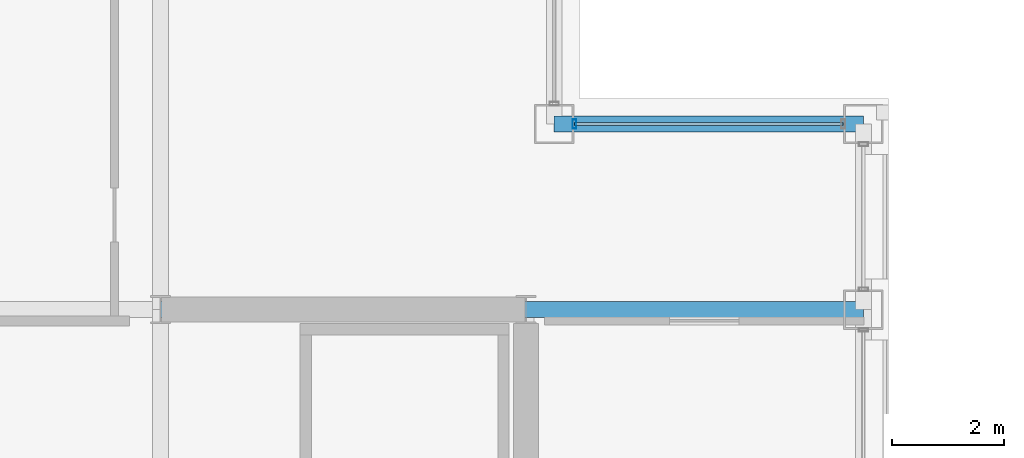
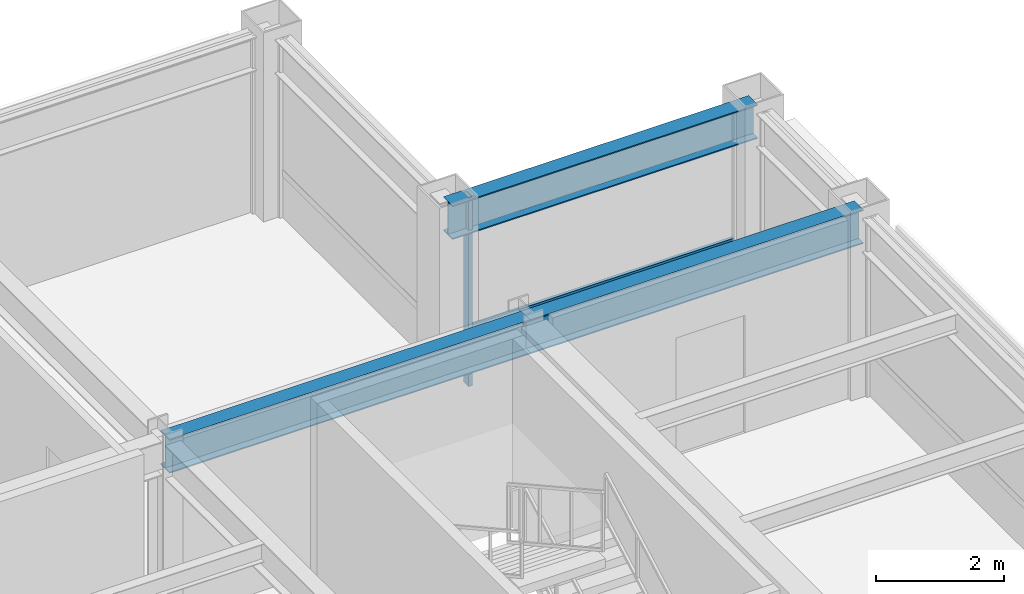
# One storey, part 17 of 28: 3 beams, 2 members, 1 element without a shape of its own.
"""IFC4 building model written with IfcOpenShell, lengths in metres."""

from ifc_helpers import new_model, si_unit, direction, frame, origin, origin_2d, place, context, subcontext, project, spatial, hollow_rectangle, i_section, extrude, material, layer, layer_set, material_profile, profile_set, type_object, element, aggregate, save


model = new_model("IFC4")

# Units and contexts
model_context = context("Model", 3, precision=1e-05, world=origin(), true_north=direction((0.0, 1.0)))
body_context = subcontext(model_context, "Body", "Model", "MODEL_VIEW")
ifc_project = project(units=[si_unit("LENGTHUNIT", "METRE"), si_unit("AREAUNIT", "SQUARE_METRE"), si_unit("VOLUMEUNIT", "CUBIC_METRE"), si_unit("PLANEANGLEUNIT", "RADIAN"), si_unit("MASSUNIT", "GRAM", prefix="KILO")], contexts=[model_context])

# Site, building, storey
site_placement = place(None, origin())
site = spatial("IfcSite", under=ifc_project, at=site_placement, CompositionType="ELEMENT")
building_placement = place(site_placement, origin())
building = spatial("IfcBuilding", under=site, at=building_placement, Name="Brelmoor Portico Tower", CompositionType="ELEMENT")
storey_placement = place(building_placement, frame((0.0, 0.0, 191.10009765625)))
storey = spatial("IfcBuildingStorey", under=building, at=storey_placement, Name="L50", CompositionType="ELEMENT", Elevation=191.10009765625)

# Beams
ifc_material_1 = material(Name="Steel Q355B", Category="steel")
ifc_material_profile_1 = material_profile(ifc_material_1, i_section(OverallWidth=0.280029296875, OverallDepth=0.64990234375, WebThickness=0.012939453125, FlangeThickness=0.02197265625, at=origin_2d()), Name="HN 650x280x13x22")
ifc_profile_set_1 = profile_set([ifc_material_profile_1], Name="Steel Q355B")
beam_type_1 = type_object("IfcBeamType", Name="BM-PG-650", PredefinedType="BEAM", material=ifc_profile_set_1)
beam_1_placement = place(storey_placement, frame((8.050048828125, 9.75, 3.074951171875), z_axis=(1.0, 0.0, 0.0), x_axis=(0.0, 1.0, 0.0)))
element("IfcBeam", 1, at=beam_1_placement, inside=storey, type_object=beam_type_1, Name="L50 Primary Floor Girder PG-22", PredefinedType="BEAM", context=body_context, shape_type="SweptSolid", body=[
    extrude(i_section(OverallWidth=0.280029296875, OverallDepth=0.64990234375, WebThickness=0.012939453125, FlangeThickness=0.02197265625, at=origin_2d()), origin(), (0.0, 0.0, 1.0), 6.5),
])
beam_2_placement = place(storey_placement, frame((14.550048828125, 9.75, 3.074951171875), z_axis=(1.0, 0.0, 0.0), x_axis=(0.0, 1.0, 0.0)))
element("IfcBeam", 2, at=beam_2_placement, inside=storey, type_object=beam_type_1, Name="L50 Primary Floor Girder PG-23", PredefinedType="BEAM", context=body_context, shape_type="SweptSolid", body=[
    extrude(i_section(OverallWidth=0.280029296875, OverallDepth=0.64990234375, WebThickness=0.012939453125, FlangeThickness=0.02197265625, at=origin_2d()), origin(), (0.0, 0.0, 1.0), 6.0),
])
ifc_material_profile_2 = material_profile(ifc_material_1, i_section(OverallWidth=0.280029296875, OverallDepth=0.64990234375, WebThickness=0.012939453125, FlangeThickness=0.02197265625, at=origin_2d()), Name="HN 650x280x13x22")
ifc_profile_set_2 = profile_set([ifc_material_profile_2], Name="Steel Q355B")
beam_type_2 = type_object("IfcBeamType", Name="BM-SP-650", PredefinedType="SPANDREL", material=ifc_profile_set_2)
beam_3_placement = place(storey_placement, frame((15.050048828125, 13.050048828125, 3.074951171875), z_axis=(1.0, 0.0, 0.0), x_axis=(0.0, 1.0, 0.0)))
element("IfcBeam", 3, at=beam_3_placement, inside=storey, type_object=beam_type_2, Name="L50 Perimeter Spandrel Beam SP-07", PredefinedType="SPANDREL", context=body_context, shape_type="SweptSolid", body=[
    extrude(i_section(OverallWidth=0.280029296875, OverallDepth=0.64990234375, WebThickness=0.012939453125, FlangeThickness=0.02197265625, at=origin_2d()), origin(), (0.0, 0.0, 1.0), 5.5),
])

# Curtain wall, members
ifc_material_2 = material(Name="Anodised Aluminium Alloy 6063-T6", Category="aluminium")
ifc_layer = layer(ifc_material_2, 0.179931640625)
ifc_layer_set = layer_set([ifc_layer], Name="Anodised Aluminium Alloy 6063-T6")
curtain_wall_type = type_object("IfcCurtainWallType", Name="CW-NOTCH-CHAMFER", PredefinedType="NOTDEFINED", material=ifc_layer_set)
curtain_wall_placement = place(storey_placement, origin())
curtain_wall = element("IfcCurtainWall", 4, at=curtain_wall_placement, inside=storey, type_object=curtain_wall_type, Name="L50 Curtain Wall CWN-L50-NEH", PredefinedType="NOTDEFINED")
ifc_material_profile_3 = material_profile(ifc_material_2, hollow_rectangle(XDim=0.06494140625, YDim=0.1650390625, WallThickness=0.00390625, at=origin_2d()), Name="ALU MULLION 65x165")
ifc_profile_set_3 = profile_set([ifc_material_profile_3], Name="Anodised Aluminium Alloy 6063-T6")
member_type_1 = type_object("IfcMemberType", Name="MB-CW-MULL-165", PredefinedType="MULLION", material=ifc_profile_set_3)
member_1_placement = place(storey_placement, frame((15.409912109375, 13.050048828125, -0.2001953125), z_axis=(0.0, 0.0, 1.0), x_axis=(1.0, 0.0, 0.0)))
member_1 = element("IfcMember", 5, at=member_1_placement, type_object=member_type_1, Name="CWN-L50-NEH Mullion 00", PredefinedType="MULLION", context=body_context, shape_type="SweptSolid", body=[
    extrude(hollow_rectangle(XDim=0.06494140625, YDim=0.1650390625, WallThickness=0.00390625, at=origin_2d()), origin(), (0.0, 0.0, 1.0), 3.60009765625),
])
ifc_material_profile_4 = material_profile(ifc_material_2, hollow_rectangle(XDim=0.06005859375, YDim=0.125, WallThickness=0.00341796875, at=origin_2d()), Name="ALU TRANSOM 60x125")
ifc_profile_set_4 = profile_set([ifc_material_profile_4], Name="Anodised Aluminium Alloy 6063-T6")
member_type_2 = type_object("IfcMemberType", Name="MB-CW-TRAN-125", PredefinedType="USERDEFINED", material=ifc_profile_set_4)
member_2_placement = place(storey_placement, frame((15.409912109375, 13.050048828125, 0.849853515625), z_axis=(1.0, 0.0, 0.0), x_axis=(0.0, 1.0, 0.0)))
member_2 = element("IfcMember", 6, at=member_2_placement, type_object=member_type_2, Name="CWN-L50-NEH Transom 1-00", ObjectType="TRANSOM", PredefinedType="USERDEFINED", context=body_context, shape_type="SweptSolid", body=[
    extrude(hollow_rectangle(XDim=0.06005859375, YDim=0.125, WallThickness=0.00341796875, at=origin_2d()), origin(), (0.0, 0.0, 1.0), 4.780029296875),
])
aggregate(curtain_wall, [member_1, member_2])

save(model, "model.ifc")
